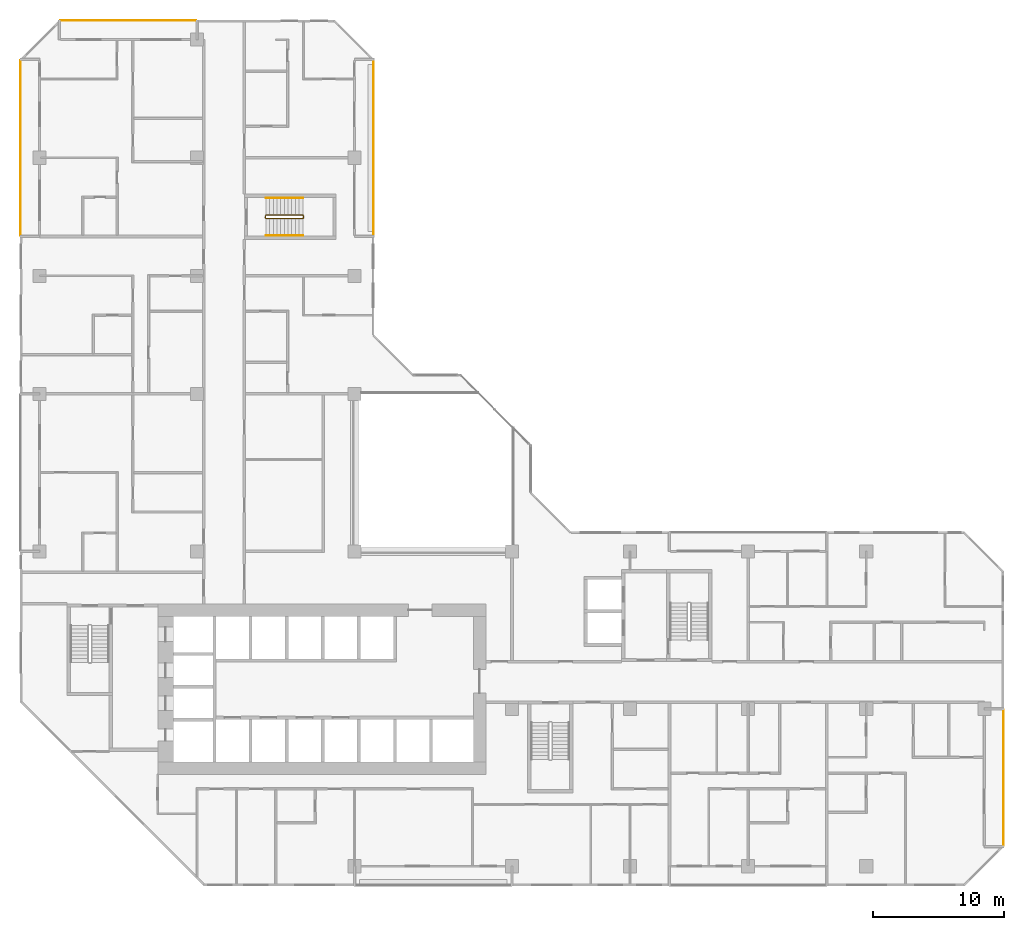
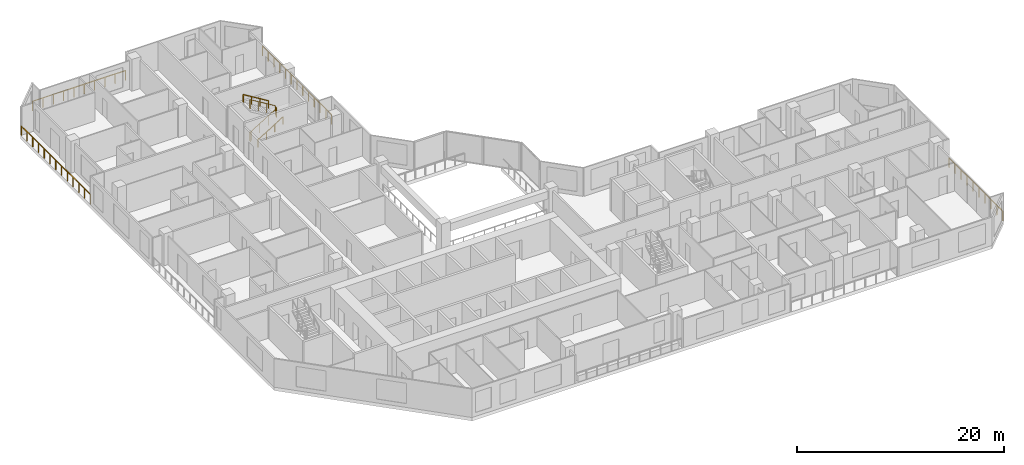
# One storey, part 14 of 14: 7 railings.
"""IFC4 building model written with IfcOpenShell, lengths in metres."""

from ifc_helpers import new_model, si_unit, direction, frame, origin, origin_2d, place, context, subcontext, project, spatial, rectangle, extrude, material, type_object, element, save


model = new_model("IFC4")

# Units and contexts
model_context = context("Model", 3, precision=1e-05, world=origin(), true_north=direction((0.0, 1.0)))
body_context = subcontext(model_context, "Body", "Model", "MODEL_VIEW")
ifc_project = project(units=[si_unit("LENGTHUNIT", "METRE"), si_unit("AREAUNIT", "SQUARE_METRE"), si_unit("VOLUMEUNIT", "CUBIC_METRE"), si_unit("PLANEANGLEUNIT", "RADIAN"), si_unit("MASSUNIT", "GRAM", prefix="KILO")], contexts=[model_context])

# Site, building, storey
site_placement = place(None, origin())
site = spatial("IfcSite", under=ifc_project, at=site_placement, CompositionType="ELEMENT")
building_placement = place(site_placement, origin())
building = spatial("IfcBuilding", under=site, at=building_placement, Name="Chenar Terraces", CompositionType="ELEMENT")
storey_placement = place(building_placement, frame((0.0, 0.0, 110.64990234375)))
storey = spatial("IfcBuildingStorey", under=building, at=storey_placement, Name="L25", CompositionType="ELEMENT", Elevation=110.64990234375)

# Railings
ifc_material_1 = material(Name="Stainless steel and glass", Category="steel")
railing_type_1 = type_object("IfcRailingType", Name="Loggia guard 1150", PredefinedType="GUARDRAIL", material=ifc_material_1)
railing_1_placement = place(storey_placement, frame((25.449951171875, 48.074951171875, 0.0)))
element("IfcRailing", 1, at=railing_1_placement, inside=storey, type_object=railing_type_1, Name="Loggia guard", PredefinedType="GUARDRAIL", context=body_context, shape_type="SweptSolid", body=[
    extrude(rectangle(XDim=0.048095703125, YDim=0.048095703125, at=origin_2d()), frame((0.0, 0.0, 1.1259765625), z_axis=(0.0, 1.0, 0.0), x_axis=(-1.0, 0.0, 0.0)), (0.0, 0.0, 1.0), 13.35009765625),
    extrude(rectangle(XDim=0.0419921875, YDim=0.0419921875, at=origin_2d()), origin(), (0.0, 0.0, 1.0), 1.101806640625),
    extrude(rectangle(XDim=0.0419921875, YDim=0.0419921875, at=origin_2d()), frame((0.0, 1.112548828125, 0.0)), (0.0, 0.0, 1.0), 1.101806640625),
    extrude(rectangle(XDim=0.0419921875, YDim=0.0419921875, at=origin_2d()), frame((0.0, 2.22509765625, 0.0)), (0.0, 0.0, 1.0), 1.101806640625),
    extrude(rectangle(XDim=0.0419921875, YDim=0.0419921875, at=origin_2d()), frame((0.0, 3.33740234375, 0.0)), (0.0, 0.0, 1.0), 1.101806640625),
    extrude(rectangle(XDim=0.0419921875, YDim=0.0419921875, at=origin_2d()), frame((0.0, 4.449951171875, 0.0)), (0.0, 0.0, 1.0), 1.101806640625),
    extrude(rectangle(XDim=0.0419921875, YDim=0.0419921875, at=origin_2d()), frame((0.0, 5.5625, 0.0)), (0.0, 0.0, 1.0), 1.101806640625),
    extrude(rectangle(XDim=0.0419921875, YDim=0.0419921875, at=origin_2d()), frame((0.0, 6.675048828125, 0.0)), (0.0, 0.0, 1.0), 1.101806640625),
    extrude(rectangle(XDim=0.0419921875, YDim=0.0419921875, at=origin_2d()), frame((0.0, 7.78759765625, 0.0)), (0.0, 0.0, 1.0), 1.101806640625),
    extrude(rectangle(XDim=0.0419921875, YDim=0.0419921875, at=origin_2d()), frame((0.0, 8.900146484375, 0.0)), (0.0, 0.0, 1.0), 1.101806640625),
    extrude(rectangle(XDim=0.0419921875, YDim=0.0419921875, at=origin_2d()), frame((0.0, 10.0126953125, 0.0)), (0.0, 0.0, 1.0), 1.101806640625),
    extrude(rectangle(XDim=0.0419921875, YDim=0.0419921875, at=origin_2d()), frame((0.0, 11.125, 0.0)), (0.0, 0.0, 1.0), 1.101806640625),
    extrude(rectangle(XDim=0.0419921875, YDim=0.0419921875, at=origin_2d()), frame((0.0, 12.237548828125, 0.0)), (0.0, 0.0, 1.0), 1.101806640625),
    extrude(rectangle(XDim=0.0419921875, YDim=0.0419921875, at=origin_2d()), frame((0.0, 13.35009765625, 0.0)), (0.0, 0.0, 1.0), 1.101806640625),
])
railing_2_placement = place(storey_placement, frame((73.449951171875, 1.574951171875, 0.0)))
element("IfcRailing", 2, at=railing_2_placement, inside=storey, type_object=railing_type_1, Name="Loggia guard", PredefinedType="GUARDRAIL", context=body_context, shape_type="SweptSolid", body=[
    extrude(rectangle(XDim=0.048095703125, YDim=0.048095703125, at=origin_2d()), frame((0.0, 0.0, 1.1259765625), z_axis=(0.0, 1.0, 0.0), x_axis=(-1.0, 0.0, 0.0)), (0.0, 0.0, 1.0), 10.35009765625),
    extrude(rectangle(XDim=0.0419921875, YDim=0.0419921875, at=origin_2d()), origin(), (0.0, 0.0, 1.0), 1.101806640625),
    extrude(rectangle(XDim=0.0419921875, YDim=0.0419921875, at=origin_2d()), frame((0.0, 1.14990234375, 0.0)), (0.0, 0.0, 1.0), 1.101806640625),
    extrude(rectangle(XDim=0.0419921875, YDim=0.0419921875, at=origin_2d()), frame((0.0, 2.300048828125, 0.0)), (0.0, 0.0, 1.0), 1.101806640625),
    extrude(rectangle(XDim=0.0419921875, YDim=0.0419921875, at=origin_2d()), frame((0.0, 3.449951171875, 0.0)), (0.0, 0.0, 1.0), 1.101806640625),
    extrude(rectangle(XDim=0.0419921875, YDim=0.0419921875, at=origin_2d()), frame((0.0, 4.60009765625, 0.0)), (0.0, 0.0, 1.0), 1.101806640625),
    extrude(rectangle(XDim=0.0419921875, YDim=0.0419921875, at=origin_2d()), frame((0.0, 5.75, 0.0)), (0.0, 0.0, 1.0), 1.101806640625),
    extrude(rectangle(XDim=0.0419921875, YDim=0.0419921875, at=origin_2d()), frame((0.0, 6.900146484375, 0.0)), (0.0, 0.0, 1.0), 1.101806640625),
    extrude(rectangle(XDim=0.0419921875, YDim=0.0419921875, at=origin_2d()), frame((0.0, 8.050048828125, 0.0)), (0.0, 0.0, 1.0), 1.101806640625),
    extrude(rectangle(XDim=0.0419921875, YDim=0.0419921875, at=origin_2d()), frame((0.0, 9.2001953125, 0.0)), (0.0, 0.0, 1.0), 1.101806640625),
    extrude(rectangle(XDim=0.0419921875, YDim=0.0419921875, at=origin_2d()), frame((0.0, 10.35009765625, 0.0)), (0.0, 0.0, 1.0), 1.101806640625),
])
railing_3_placement = place(storey_placement, frame((11.925048828125, 64.449951171875, 0.0)))
element("IfcRailing", 3, at=railing_3_placement, inside=storey, type_object=railing_type_1, Name="Loggia guard", PredefinedType="GUARDRAIL", context=body_context, shape_type="SweptSolid", body=[
    extrude(rectangle(XDim=0.048095703125, YDim=0.048095703125, at=origin_2d()), frame((0.0, 0.0, 1.1259765625), z_axis=(-1.0, 0.0, 0.0), x_axis=(0.0, -1.0, 0.0)), (0.0, 0.0, 1.0), 10.35009765625),
    extrude(rectangle(XDim=0.0419921875, YDim=0.0419921875, at=origin_2d()), origin(), (0.0, 0.0, 1.0), 1.101806640625),
    extrude(rectangle(XDim=0.0419921875, YDim=0.0419921875, at=origin_2d()), frame((-1.14990234375, 0.0, 0.0)), (0.0, 0.0, 1.0), 1.101806640625),
    extrude(rectangle(XDim=0.0419921875, YDim=0.0419921875, at=origin_2d()), frame((-2.300048828125, 0.0, 0.0)), (0.0, 0.0, 1.0), 1.101806640625),
    extrude(rectangle(XDim=0.0419921875, YDim=0.0419921875, at=origin_2d()), frame((-3.449951171875, 0.0, 0.0)), (0.0, 0.0, 1.0), 1.101806640625),
    extrude(rectangle(XDim=0.0419921875, YDim=0.0419921875, at=origin_2d()), frame((-4.60009765625, 0.0, 0.0)), (0.0, 0.0, 1.0), 1.101806640625),
    extrude(rectangle(XDim=0.0419921875, YDim=0.0419921875, at=origin_2d()), frame((-5.75, 0.0, 0.0)), (0.0, 0.0, 1.0), 1.101806640625),
    extrude(rectangle(XDim=0.0419921875, YDim=0.0419921875, at=origin_2d()), frame((-6.900146484375, 0.0, 0.0)), (0.0, 0.0, 1.0), 1.101806640625),
    extrude(rectangle(XDim=0.0419921875, YDim=0.0419921875, at=origin_2d()), frame((-8.050048828125, 0.0, 0.0)), (0.0, 0.0, 1.0), 1.101806640625),
    extrude(rectangle(XDim=0.0419921875, YDim=0.0419921875, at=origin_2d()), frame((-9.2001953125, 0.0, 0.0)), (0.0, 0.0, 1.0), 1.101806640625),
    extrude(rectangle(XDim=0.0419921875, YDim=0.0419921875, at=origin_2d()), frame((-10.35009765625, 0.0, 0.0)), (0.0, 0.0, 1.0), 1.101806640625),
])
railing_4_placement = place(storey_placement, frame((-1.449951171875, 61.425048828125, 0.0)))
element("IfcRailing", 4, at=railing_4_placement, inside=storey, type_object=railing_type_1, Name="Loggia guard", PredefinedType="GUARDRAIL", context=body_context, shape_type="SweptSolid", body=[
    extrude(rectangle(XDim=0.048095703125, YDim=0.048095703125, at=origin_2d()), frame((0.0, 0.0, 1.1259765625), z_axis=(0.0, -1.0, 0.0), x_axis=(1.0, 0.0, 0.0)), (0.0, 0.0, 1.0), 13.35009765625),
    extrude(rectangle(XDim=0.0419921875, YDim=0.0419921875, at=origin_2d()), origin(), (0.0, 0.0, 1.0), 1.101806640625),
    extrude(rectangle(XDim=0.0419921875, YDim=0.0419921875, at=origin_2d()), frame((0.0, -1.112548828125, 0.0)), (0.0, 0.0, 1.0), 1.101806640625),
    extrude(rectangle(XDim=0.0419921875, YDim=0.0419921875, at=origin_2d()), frame((0.0, -2.22509765625, 0.0)), (0.0, 0.0, 1.0), 1.101806640625),
    extrude(rectangle(XDim=0.0419921875, YDim=0.0419921875, at=origin_2d()), frame((0.0, -3.33740234375, 0.0)), (0.0, 0.0, 1.0), 1.101806640625),
    extrude(rectangle(XDim=0.0419921875, YDim=0.0419921875, at=origin_2d()), frame((0.0, -4.449951171875, 0.0)), (0.0, 0.0, 1.0), 1.101806640625),
    extrude(rectangle(XDim=0.0419921875, YDim=0.0419921875, at=origin_2d()), frame((0.0, -5.5625, 0.0)), (0.0, 0.0, 1.0), 1.101806640625),
    extrude(rectangle(XDim=0.0419921875, YDim=0.0419921875, at=origin_2d()), frame((0.0, -6.675048828125, 0.0)), (0.0, 0.0, 1.0), 1.101806640625),
    extrude(rectangle(XDim=0.0419921875, YDim=0.0419921875, at=origin_2d()), frame((0.0, -7.78759765625, 0.0)), (0.0, 0.0, 1.0), 1.101806640625),
    extrude(rectangle(XDim=0.0419921875, YDim=0.0419921875, at=origin_2d()), frame((0.0, -8.900146484375, 0.0)), (0.0, 0.0, 1.0), 1.101806640625),
    extrude(rectangle(XDim=0.0419921875, YDim=0.0419921875, at=origin_2d()), frame((0.0, -10.0126953125, 0.0)), (0.0, 0.0, 1.0), 1.101806640625),
    extrude(rectangle(XDim=0.0419921875, YDim=0.0419921875, at=origin_2d()), frame((0.0, -11.125, 0.0)), (0.0, 0.0, 1.0), 1.101806640625),
    extrude(rectangle(XDim=0.0419921875, YDim=0.0419921875, at=origin_2d()), frame((0.0, -12.237548828125, 0.0)), (0.0, 0.0, 1.0), 1.101806640625),
    extrude(rectangle(XDim=0.0419921875, YDim=0.0419921875, at=origin_2d()), frame((0.0, -13.35009765625, 0.0)), (0.0, 0.0, 1.0), 1.101806640625),
])
ifc_material_2 = material(Name="Powder-coated steel", Category="steel")
railing_type_2 = type_object("IfcRailingType", Name="Stair guard 1100", PredefinedType="GUARDRAIL", material=ifc_material_2)
railing_5_placement = place(storey_placement, frame((17.25, 49.625, 3.75)))
element("IfcRailing", 5, at=railing_5_placement, inside=storey, type_object=railing_type_2, Name="L25 ST4 stair guard 1", PredefinedType="GUARDRAIL", context=body_context, shape_type="SweptSolid", body=[
    extrude(rectangle(XDim=0.048095703125, YDim=0.048095703125, at=origin_2d()), frame((0.0, 0.0, 1.076171875), z_axis=(0.854202870247, 0.0, -0.519939858505), x_axis=(0.0, 1.0, 0.0)), (0.0, 0.0, 1.0), 3.278076171875),
    extrude(rectangle(XDim=0.048095703125, YDim=0.048095703125, at=origin_2d()), frame((2.800048828125, 0.0, -0.62841796875), z_axis=(0.270899902878, -0.270899902878, -0.923702595667), x_axis=(0.707106781187, 0.707106781187, 0.0)), (0.0, 0.0, 1.0), 0.184814453125),
    extrude(rectangle(XDim=0.048095703125, YDim=0.048095703125, at=origin_2d()), frame((2.85009765625, -0.050048828125, -0.798828125), z_axis=(0.0, -1.0, 0.0), x_axis=(1.0, 0.0, 0.0)), (0.0, 0.0, 1.0), 0.14990234375),
    extrude(rectangle(XDim=0.048095703125, YDim=0.048095703125, at=origin_2d()), frame((2.85009765625, -0.199951171875, -0.798828125), z_axis=(-0.707106781187, -0.707106781187, 0.0), x_axis=(0.707106781187, -0.707106781187, 0.0)), (0.0, 0.0, 1.0), 0.07080078125),
    extrude(rectangle(XDim=0.048095703125, YDim=0.048095703125, at=origin_2d()), frame((2.800048828125, -0.25, -0.798828125), z_axis=(-0.854202870247, 0.0, -0.519939858505), x_axis=(0.0, -1.0, 0.0)), (0.0, 0.0, 1.0), 3.278076171875),
    extrude(rectangle(XDim=0.048095703125, YDim=0.048095703125, at=origin_2d()), frame((0.0, -0.25, -2.50341796875), z_axis=(-0.270899902878, 0.270899902878, -0.923702595667), x_axis=(-0.707106781187, -0.707106781187, 0.0)), (0.0, 0.0, 1.0), 0.184814453125),
    extrude(rectangle(XDim=0.048095703125, YDim=0.048095703125, at=origin_2d()), frame((-0.050048828125, -0.199951171875, -2.673828125), z_axis=(0.0, 1.0, 0.0), x_axis=(-1.0, 0.0, 0.0)), (0.0, 0.0, 1.0), 0.14990234375),
    extrude(rectangle(XDim=0.0419921875, YDim=0.0419921875, at=origin_2d()), origin(), (0.0, 0.0, 1.0), 1.052001953125),
    extrude(rectangle(XDim=0.0419921875, YDim=0.0419921875, at=origin_2d()), frame((0.933349609375, 0.0, -0.568115234375)), (0.0, 0.0, 1.0), 1.052001953125),
    extrude(rectangle(XDim=0.0419921875, YDim=0.0419921875, at=origin_2d()), frame((1.86669921875, 0.0, -1.13623046875)), (0.0, 0.0, 1.0), 1.052001953125),
    extrude(rectangle(XDim=0.0419921875, YDim=0.0419921875, at=origin_2d()), frame((2.800048828125, 0.0, -1.704345703125)), (0.0, 0.0, 1.0), 1.052001953125),
    extrude(rectangle(XDim=0.0419921875, YDim=0.0419921875, at=origin_2d()), frame((2.85009765625, -0.050048828125, -1.875)), (0.0, 0.0, 1.0), 1.052001953125),
    extrude(rectangle(XDim=0.0419921875, YDim=0.0419921875, at=origin_2d()), frame((2.85009765625, -0.199951171875, -1.875)), (0.0, 0.0, 1.0), 1.052001953125),
    extrude(rectangle(XDim=0.0419921875, YDim=0.0419921875, at=origin_2d()), frame((2.800048828125, -0.25, -1.875)), (0.0, 0.0, 1.0), 1.052001953125),
    extrude(rectangle(XDim=0.0419921875, YDim=0.0419921875, at=origin_2d()), frame((1.86669921875, -0.25, -2.443115234375)), (0.0, 0.0, 1.0), 1.052001953125),
    extrude(rectangle(XDim=0.0419921875, YDim=0.0419921875, at=origin_2d()), frame((0.933349609375, -0.25, -3.01123046875)), (0.0, 0.0, 1.0), 1.052001953125),
    extrude(rectangle(XDim=0.0419921875, YDim=0.0419921875, at=origin_2d()), frame((0.0, -0.25, -3.579345703125)), (0.0, 0.0, 1.0), 1.052001953125),
    extrude(rectangle(XDim=0.0419921875, YDim=0.0419921875, at=origin_2d()), frame((-0.050048828125, -0.199951171875, -3.75)), (0.0, 0.0, 1.0), 1.052001953125),
    extrude(rectangle(XDim=0.0419921875, YDim=0.0419921875, at=origin_2d()), frame((-0.050048828125, -0.050048828125, -3.75)), (0.0, 0.0, 1.0), 1.052001953125),
])
ifc_material_3 = material(Name="Powder-coated steel", Category="steel")
railing_type_3 = type_object("IfcRailingType", Name="Stair handrail 900", PredefinedType="HANDRAIL", material=ifc_material_3)
railing_6_placement = place(storey_placement, frame((17.25, 48.074951171875, 0.170654296875)))
element("IfcRailing", 6, at=railing_6_placement, inside=storey, type_object=railing_type_3, Name="L25 ST4 stair handrail 1", PredefinedType="HANDRAIL", context=body_context, shape_type="SweptSolid", body=[
    extrude(rectangle(XDim=0.048095703125, YDim=0.048095703125, at=origin_2d()), frame((0.0, 0.0, 0.8759765625), z_axis=(0.854202870247, 0.0, 0.519939858505), x_axis=(0.0, 1.0, 0.0)), (0.0, 0.0, 1.0), 3.278076171875),
    extrude(rectangle(XDim=0.0419921875, YDim=0.0419921875, at=origin_2d()), origin(), (0.0, 0.0, 1.0), 0.851806640625),
    extrude(rectangle(XDim=0.0419921875, YDim=0.0419921875, at=origin_2d()), frame((0.933349609375, 0.0, 0.568115234375)), (0.0, 0.0, 1.0), 0.851806640625),
    extrude(rectangle(XDim=0.0419921875, YDim=0.0419921875, at=origin_2d()), frame((1.86669921875, 0.0, 1.13623046875)), (0.0, 0.0, 1.0), 0.851806640625),
    extrude(rectangle(XDim=0.0419921875, YDim=0.0419921875, at=origin_2d()), frame((2.800048828125, 0.0, 1.704345703125)), (0.0, 0.0, 1.0), 0.851806640625),
])
railing_7_placement = place(storey_placement, frame((20.050048828125, 50.925048828125, 2.045654296875)))
element("IfcRailing", 7, at=railing_7_placement, inside=storey, type_object=railing_type_3, Name="L25 ST4 stair handrail 2", PredefinedType="HANDRAIL", context=body_context, shape_type="SweptSolid", body=[
    extrude(rectangle(XDim=0.048095703125, YDim=0.048095703125, at=origin_2d()), frame((0.0, 0.0, 0.8759765625), z_axis=(-0.854202870247, 0.0, 0.519939858505), x_axis=(0.0, -1.0, 0.0)), (0.0, 0.0, 1.0), 3.278076171875),
    extrude(rectangle(XDim=0.0419921875, YDim=0.0419921875, at=origin_2d()), origin(), (0.0, 0.0, 1.0), 0.851806640625),
    extrude(rectangle(XDim=0.0419921875, YDim=0.0419921875, at=origin_2d()), frame((-0.933349609375, 0.0, 0.568115234375)), (0.0, 0.0, 1.0), 0.851806640625),
    extrude(rectangle(XDim=0.0419921875, YDim=0.0419921875, at=origin_2d()), frame((-1.86669921875, 0.0, 1.13623046875)), (0.0, 0.0, 1.0), 0.851806640625),
    extrude(rectangle(XDim=0.0419921875, YDim=0.0419921875, at=origin_2d()), frame((-2.800048828125, 0.0, 1.704345703125)), (0.0, 0.0, 1.0), 0.851806640625),
])

save(model, "model.ifc")
